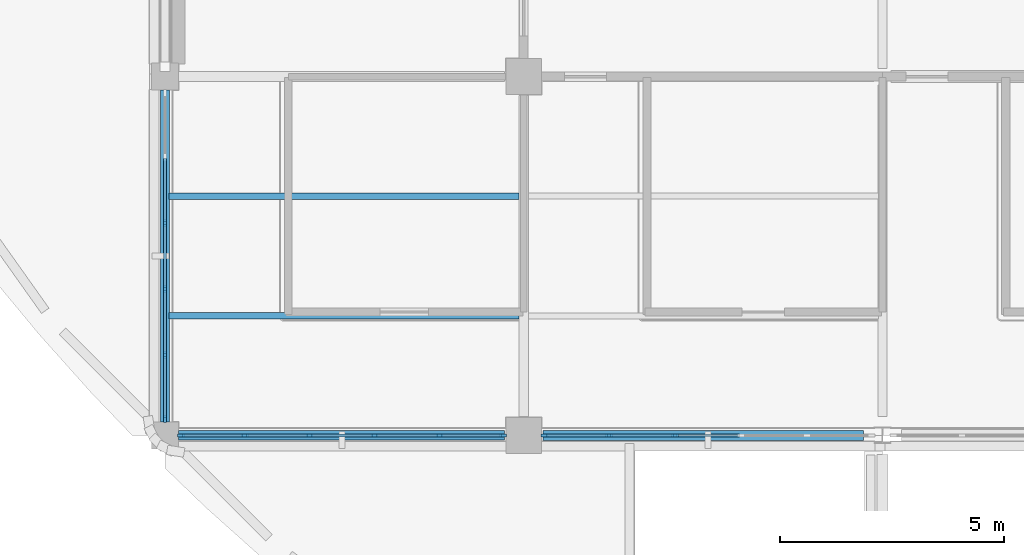
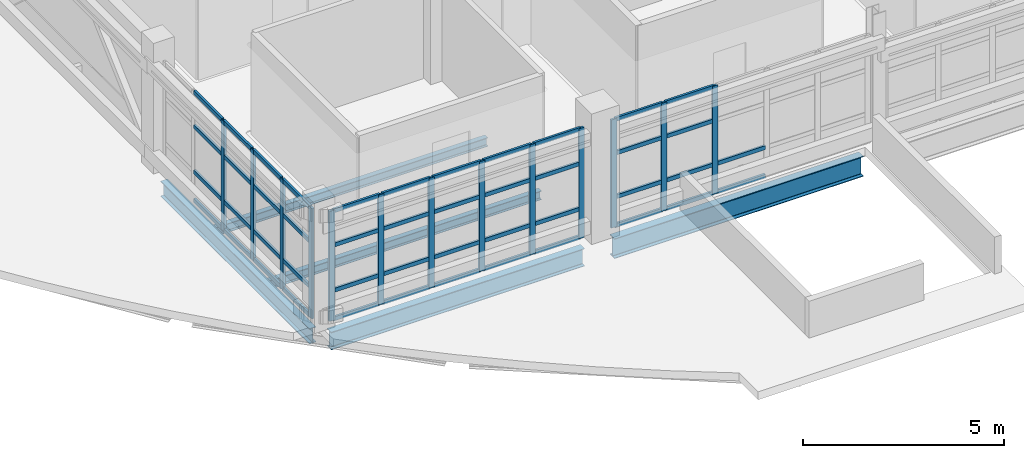
# One storey, part 23 of 126: 59 members, 5 beams, 3 elements without a shape of their own.
"""IFC4 building model written with IfcOpenShell, lengths in metres."""

import ifcopenshell
import ifcopenshell.guid

model = None  # the IFC model being written
_history = None  # IfcOwnerHistory: only IFC2X3 demands one
_inside = {}  # id of a spatial element -> (the spatial element, [elements in it])
_under = {}  # id of a project, library or spatial element -> (it, [spatial elements below it])
_declared = {}  # id of a project -> (the project, [libraries it declares])
_typed = {}  # id of a type object -> (the type object, [elements of that type])
_made_of = {}  # id of a material, layer set ... -> (it, [elements and type objects made of it])


def new_model(schema):
    """Start an empty IFC model of exactly this schema.

    Asked for "IFC4X3", IfcOpenShell would pick the latest addendum, in which some entities
    have other attributes; the version numbers below select the first issue.
    IFC2X3 requires an IfcOwnerHistory on every rooted entity: one is made here for all.
    """
    global model, _history
    if schema == "IFC4X3":
        model = ifcopenshell.file(schema_version=(4, 3, 0, 0))
    else:
        model = ifcopenshell.file(schema=schema)
    _inside.clear()
    _under.clear()
    _declared.clear()
    _typed.clear()
    _made_of.clear()
    _history = None
    if model.schema == "IFC2X3":
        org = make("IfcOrganization", Name="unknown")
        user = make(
            "IfcPersonAndOrganization",
            ThePerson=make("IfcPerson", FamilyName="unknown"),
            TheOrganization=org,
        )
        app = make(
            "IfcApplication",
            ApplicationDeveloper=org,
            Version="unknown",
            ApplicationFullName="unknown",
            ApplicationIdentifier="unknown",
        )
        _history = make(
            "IfcOwnerHistory",
            OwningUser=user,
            OwningApplication=app,
            ChangeAction="ADDED",
            CreationDate=0,
        )
    return model


def make(cls, **values):
    """One entity of the class cls with the attributes given. An attribute that is None is left unset."""
    return model.create_entity(
        cls, **{name: value for name, value in values.items() if value is not None}
    )


def rooted(cls, **values):
    """An entity with a GlobalId (a new one), such as an element, a storey or a relation."""
    return make(cls, GlobalId=ifcopenshell.guid.new(), OwnerHistory=_history, **values)


def si_unit(unit_type, name, prefix=None):
    """IfcSIUnit, for example si_unit("LENGTHUNIT", "METRE", prefix="MILLI")."""
    return make("IfcSIUnit", UnitType=unit_type, Prefix=prefix, Name=name)


def derived_unit(unit_type, elements):
    """IfcDerivedUnit: a product of units, each with its exponent."""
    return make(
        "IfcDerivedUnit",
        Elements=[
            make("IfcDerivedUnitElement", Unit=unit, Exponent=power)
            for unit, power in elements
        ],
        UnitType=unit_type,
    )


def assignment(units):
    """IfcUnitAssignment: the units of a project."""
    return None if units is None else make("IfcUnitAssignment", Units=units)


def point(xyz):
    """IfcCartesianPoint."""
    return None if xyz is None else make("IfcCartesianPoint", Coordinates=xyz)


def direction(xyz):
    """IfcDirection."""
    return None if xyz is None else make("IfcDirection", DirectionRatios=xyz)


def frame(location, z_axis=None, x_axis=None):
    """IfcAxis2Placement3D, a coordinate frame: its origin and axes. An axis left out is left unset."""
    return make(
        "IfcAxis2Placement3D",
        Location=point(location),
        Axis=direction(z_axis),
        RefDirection=direction(x_axis),
    )


def frame_2d(location, x_axis=None):
    """IfcAxis2Placement2D, a coordinate frame in the plane: its origin and x axis."""
    return make(
        "IfcAxis2Placement2D", Location=point(location), RefDirection=direction(x_axis)
    )


def origin():
    """The frame at (0, 0, 0) with its axes left unset."""
    return frame((0.0, 0.0, 0.0))


def origin_2d():
    """The frame at (0, 0) in the plane with its x axis left unset."""
    return frame_2d((0.0, 0.0))


def place(relative_to, where):
    """IfcLocalPlacement: puts the frame where relative to a parent placement (None: the world)."""
    return make(
        "IfcLocalPlacement", PlacementRelTo=relative_to, RelativePlacement=where
    )


def context(
    kind, dimensions, precision=None, world=None, true_north=None, identifier=None
):
    """IfcGeometricRepresentationContext, for example the 3D "Model" context."""
    return make(
        "IfcGeometricRepresentationContext",
        ContextIdentifier=identifier,
        ContextType=kind,
        CoordinateSpaceDimension=dimensions,
        Precision=precision,
        WorldCoordinateSystem=world,
        TrueNorth=true_north,
    )


def subcontext(parent, identifier, kind, view, scale=None):
    """IfcGeometricRepresentationSubContext, for example "Body" below "Model"."""
    return make(
        "IfcGeometricRepresentationSubContext",
        ContextIdentifier=identifier,
        ContextType=kind,
        ParentContext=parent,
        TargetScale=scale,
        TargetView=view,
    )


def project(units=None, contexts=None):
    """IfcProject with its units and contexts."""
    return rooted(
        "IfcProject",
        Name="project",
        RepresentationContexts=contexts,
        UnitsInContext=assignment(units),
    )


def spatial(cls, under=None, at=None, **own):
    """A site, building, storey or space (cls), placed at a placement, below another one or the project."""
    s = rooted(cls, ObjectPlacement=at, **own)
    if under is not None:
        _under.setdefault(under.id(), (under, []))[1].append(s)
    return s


def profile(cls, at=None, kind="AREA", **sizes):
    """A parametric profile (cls). Its sizes go by their IFC names, for example OverallWidth=200.0."""
    return make(cls, ProfileType=kind, Position=at, **sizes)


def rectangle(**sizes):
    """IfcRectangleProfileDef."""
    return profile("IfcRectangleProfileDef", **sizes)


def i_section(**sizes):
    """IfcIShapeProfileDef."""
    return profile("IfcIShapeProfileDef", **sizes)


def extrude(swept, where, along, depth):
    """IfcExtrudedAreaSolid: the profile swept, set in the frame where, extruded along a direction by depth."""
    return make(
        "IfcExtrudedAreaSolid",
        SweptArea=swept,
        Position=where,
        ExtrudedDirection=direction(along),
        Depth=depth,
    )


def shape(context_of_items, identifier, shape_type, items):
    """IfcShapeRepresentation: the items that make up one representation, for example the "Body"."""
    return make(
        "IfcShapeRepresentation",
        ContextOfItems=context_of_items,
        RepresentationIdentifier=identifier,
        RepresentationType=shape_type,
        Items=items,
    )


def material(Name=None, Category=None):
    """IfcMaterial."""
    return make("IfcMaterial", Name=Name, Category=Category)


def layer(
    of_material, thickness, ventilated=None, Name=None, Category=None, Priority=None
):
    """IfcMaterialLayer: one layer of a wall or slab, of a material (None: an air gap)."""
    return make(
        "IfcMaterialLayer",
        Material=of_material,
        LayerThickness=thickness,
        IsVentilated=ventilated,
        Name=Name,
        Category=Category,
        Priority=Priority,
    )


def layer_set(layers, Name=None):
    """IfcMaterialLayerSet."""
    return make("IfcMaterialLayerSet", MaterialLayers=layers, LayerSetName=Name)


def material_profile(
    of_material, cross_section, Name=None, Category=None, Priority=None
):
    """IfcMaterialProfile: a cross section and its material."""
    return make(
        "IfcMaterialProfile",
        Name=Name,
        Material=of_material,
        Profile=cross_section,
        Priority=Priority,
        Category=Category,
    )


def profile_set(profiles, Name=None, composite=None):
    """IfcMaterialProfileSet."""
    return make(
        "IfcMaterialProfileSet",
        Name=Name,
        MaterialProfiles=profiles,
        CompositeProfile=composite,
    )


def made_of(thing, what):
    """Note that an element or type object is made of a material, layer set ...; save() writes the relation."""
    if what is not None:
        _made_of.setdefault(what.id(), (what, []))[1].append(thing)
    return thing


def type_object(cls, material=None, **own):
    """A type object (cls), such as IfcWallType, which elements share."""
    return made_of(rooted(cls, **own), material)


def element(
    cls,
    number,
    at=None,
    inside=None,
    cuts=None,
    type_object=None,
    material=None,
    context=None,
    identifier="Body",
    shape_type=None,
    held_by="IfcProductDefinitionShape",
    body=None,
    shapes=None,
    **own,
):
    """One element of the class cls, such as IfcWall. Its Tag is "e" and its number.

    at: its placement. inside: the storey or other place that contains it. cuts: it is an
    opening in that element (IfcRelVoidsElement). A single representation is given by context,
    identifier, shape_type and body (its items); several are given by shapes. held_by: the class
    of the entity that holds the representations. save() writes the other relations.
    """
    e = rooted(cls, Tag="e%d" % number, ObjectPlacement=at, **own)
    if body is not None:
        shapes = [shape(context, identifier, shape_type, body)]
    if shapes is not None:
        e.Representation = make(held_by, Representations=shapes)
    if inside is not None:
        _inside.setdefault(inside.id(), (inside, []))[1].append(e)
    if cuts is not None:
        rooted(
            "IfcRelVoidsElement", RelatingBuildingElement=cuts, RelatedOpeningElement=e
        )
    if type_object is not None:
        _typed.setdefault(type_object.id(), (type_object, []))[1].append(e)
    return made_of(e, material)


def aggregate(whole, parts):
    """IfcRelAggregates: a whole, such as a stair, and the parts it consists of."""
    return rooted("IfcRelAggregates", RelatingObject=whole, RelatedObjects=parts)


def save(model, path):
    """Write the relations noted so far, then the file.

    IfcRelAggregates (storeys below a building ...), IfcRelContainedInSpatialStructure (elements
    in a storey), IfcRelDefinesByType, IfcRelAssociatesMaterial and IfcRelDeclares: one each for
    every whole, place, type object, material and project.
    """
    for whole, parts in _under.values():
        aggregate(whole, parts)
    for where, things in _inside.values():
        rooted(
            "IfcRelContainedInSpatialStructure",
            RelatedElements=things,
            RelatingStructure=where,
        )
    for kind, things in _typed.values():
        rooted("IfcRelDefinesByType", RelatedObjects=things, RelatingType=kind)
    for what, things in _made_of.values():
        rooted("IfcRelAssociatesMaterial", RelatedObjects=things, RelatingMaterial=what)
    for by, libraries in _declared.values():
        rooted("IfcRelDeclares", RelatingContext=by, RelatedDefinitions=libraries)
    model.write(path)


model = new_model("IFC4")

# Units and contexts
model_context = context("Model", 3, precision=1e-05, world=origin(), true_north=direction((0.0, 1.0)))
body_context = subcontext(model_context, "Body", "Model", "MODEL_VIEW")
ifc_project = project(units=[si_unit("LENGTHUNIT", "METRE"), si_unit("AREAUNIT", "SQUARE_METRE"), si_unit("VOLUMEUNIT", "CUBIC_METRE"), si_unit("PLANEANGLEUNIT", "RADIAN"), si_unit("MASSUNIT", "GRAM", prefix="KILO"), derived_unit("THERMALTRANSMITTANCEUNIT", [(si_unit("MASSUNIT", "GRAM", prefix="KILO"), 1), (si_unit("TIMEUNIT", "SECOND"), -3), (si_unit("THERMODYNAMICTEMPERATUREUNIT", "KELVIN"), -1)])], contexts=[model_context])

# Site, building, storey
site_placement = place(None, origin())
site = spatial("IfcSite", under=ifc_project, at=site_placement, CompositionType="ELEMENT")
building_placement = place(site_placement, origin())
building = spatial("IfcBuilding", under=site, at=building_placement, Name="Veyamyaing Civic Hall", CompositionType="ELEMENT")
storey_placement = place(building_placement, frame((0.0, 0.0, 9.89990234375)))
storey = spatial("IfcBuildingStorey", under=building, at=storey_placement, Name="L02", CompositionType="ELEMENT", Elevation=9.89990234375)

# Beams
ifc_material_1 = material(Name="Steel ASTM A992", Category="steel")
ifc_material_profile_1 = material_profile(ifc_material_1, i_section(OverallWidth=0.22802734375, OverallDepth=0.60791015625, WebThickness=0.01123046875, FlangeThickness=0.017333984375, FilletRadius=0.012939453125, at=origin_2d()), Name="W610X113")
ifc_profile_set_1 = profile_set([ifc_material_profile_1], Name="Steel ASTM A992")
beam_type_1 = type_object("IfcBeamType", Name="B-06", PredefinedType="BEAM", material=ifc_profile_set_1)
beam_1_placement = place(storey_placement, frame((72.425048828125, 24.0, -0.5888671875), z_axis=(1.0, 0.0, 0.0), x_axis=(0.0, 1.0, 0.0)))
element("IfcBeam", 1, at=beam_1_placement, inside=storey, type_object=beam_type_1, Name="Girder B-06 L02 Grid D 10-11", PredefinedType="BEAM", context=body_context, shape_type="SweptSolid", body=[
    extrude(i_section(OverallWidth=0.22802734375, OverallDepth=0.60791015625, WebThickness=0.01123046875, FlangeThickness=0.017333984375, FilletRadius=0.012939453125, at=origin_2d()), origin(), (0.0, 0.0, 1.0), 7.14990234375),
])
ifc_material_profile_2 = material_profile(ifc_material_1, i_section(OverallWidth=0.2109375, OverallDepth=0.5390625, WebThickness=0.01171875, FlangeThickness=0.018798828125, FilletRadius=0.011962890625, at=origin_2d()), Name="W530X109")
ifc_profile_set_2 = profile_set([ifc_material_profile_2], Name="Steel ASTM A992")
beam_type_2 = type_object("IfcBeamType", Name="B-17", PredefinedType="BEAM", material=ifc_profile_set_2)
beam_2_placement = place(storey_placement, frame((64.300048828125, 24.0, -0.554443359375), z_axis=(1.0, 0.0, 0.0), x_axis=(0.0, 1.0, 0.0)))
element("IfcBeam", 2, at=beam_2_placement, inside=storey, type_object=beam_type_2, Name="Girder B-17 L02 Grid D 9-10", PredefinedType="BEAM", context=body_context, shape_type="SweptSolid", body=[
    extrude(i_section(OverallWidth=0.2109375, OverallDepth=0.5390625, WebThickness=0.01171875, FlangeThickness=0.018798828125, FilletRadius=0.011962890625, at=origin_2d()), origin(), (0.0, 0.0, 1.0), 7.27490234375),
])
ifc_material_profile_3 = material_profile(ifc_material_1, i_section(OverallWidth=0.194091796875, OverallDepth=0.468994140625, WebThickness=0.0126953125, FlangeThickness=0.0205078125, FilletRadius=0.010009765625, at=origin_2d()), Name="W460X106")
ifc_profile_set_3 = profile_set([ifc_material_profile_3], Name="Steel ASTM A992")
beam_type_3 = type_object("IfcBeamType", Name="B-18", PredefinedType="BEAM", material=ifc_profile_set_3)
beam_3_placement = place(storey_placement, frame((64.0, 24.300048828125, -0.519287109375), z_axis=(0.0, 1.0, 0.0), x_axis=(-1.0, 0.0, 0.0)))
element("IfcBeam", 3, at=beam_3_placement, inside=storey, type_object=beam_type_3, Name="Girder B-18 L02 Grid 9 D-E", PredefinedType="BEAM", context=body_context, shape_type="SweptSolid", body=[
    extrude(i_section(OverallWidth=0.194091796875, OverallDepth=0.468994140625, WebThickness=0.0126953125, FlangeThickness=0.0205078125, FilletRadius=0.010009765625, at=origin_2d()), origin(), (0.0, 0.0, 1.0), 7.39990234375),
])

# Curtain wall, members
ifc_material_2 = material(Name="Anodised aluminium 6063-T6", Category="aluminium")
ifc_layer = layer(ifc_material_2, 0.159912109375, Name="Anodised aluminium 6063-T6")
ifc_layer_set = layer_set([ifc_layer], Name="Anodised aluminium 6063-T6")
curtain_wall_type = type_object("IfcCurtainWallType", Name="CW-03", PredefinedType="NOTDEFINED", material=ifc_layer_set)
curtain_wall_1_placement = place(storey_placement, origin())
curtain_wall_1 = element("IfcCurtainWall", 4, at=curtain_wall_1_placement, inside=storey, type_object=curtain_wall_type, Name="Unitized curtain wall CW-03 L02 S 9.4", PredefinedType="NOTDEFINED")
ifc_material_profile_4 = material_profile(ifc_material_2, rectangle(XDim=0.06494140625, YDim=0.159912109375, at=origin_2d()), Name="ALU-MUL-65X160")
ifc_profile_set_4 = profile_set([ifc_material_profile_4], Name="Anodised aluminium 6063-T6")
member_type_1 = type_object("IfcMemberType", Name="CWM-01", PredefinedType="MULLION", material=ifc_profile_set_4)
member_1_placement = place(storey_placement, frame((64.362548828125, 24.0, 0.0), z_axis=(0.0, 0.0, 1.0), x_axis=(0.0, 1.0, 0.0)))
member_1 = element("IfcMember", 5, at=member_1_placement, type_object=member_type_1, Name="CW-03 mullion 1", PredefinedType="MULLION", context=body_context, shape_type="SweptSolid", body=[
    extrude(rectangle(XDim=0.06494140625, YDim=0.159912109375, at=origin_2d()), origin(), (0.0, 0.0, 1.0), 3.343994140625),
])
member_2_placement = place(storey_placement, frame((65.778076171875, 24.0, 0.0), z_axis=(0.0, 0.0, 1.0), x_axis=(0.0, 1.0, 0.0)))
member_2 = element("IfcMember", 6, at=member_2_placement, type_object=member_type_1, Name="CW-03 mullion 2", PredefinedType="MULLION", context=body_context, shape_type="SweptSolid", body=[
    extrude(rectangle(XDim=0.06494140625, YDim=0.159912109375, at=origin_2d()), origin(), (0.0, 0.0, 1.0), 3.343994140625),
])
member_3_placement = place(storey_placement, frame((67.22607421875, 24.0, 0.0), z_axis=(0.0, 0.0, 1.0), x_axis=(0.0, 1.0, 0.0)))
member_3 = element("IfcMember", 7, at=member_3_placement, type_object=member_type_1, Name="CW-03 mullion 3", PredefinedType="MULLION", context=body_context, shape_type="SweptSolid", body=[
    extrude(rectangle(XDim=0.06494140625, YDim=0.159912109375, at=origin_2d()), origin(), (0.0, 0.0, 1.0), 3.343994140625),
])
member_4_placement = place(storey_placement, frame((68.674072265625, 24.0, 0.0), z_axis=(0.0, 0.0, 1.0), x_axis=(0.0, 1.0, 0.0)))
member_4 = element("IfcMember", 8, at=member_4_placement, type_object=member_type_1, Name="CW-03 mullion 4", PredefinedType="MULLION", context=body_context, shape_type="SweptSolid", body=[
    extrude(rectangle(XDim=0.06494140625, YDim=0.159912109375, at=origin_2d()), origin(), (0.0, 0.0, 1.0), 3.343994140625),
])
member_5_placement = place(storey_placement, frame((70.1220703125, 24.0, 0.0), z_axis=(0.0, 0.0, 1.0), x_axis=(0.0, 1.0, 0.0)))
member_5 = element("IfcMember", 9, at=member_5_placement, type_object=member_type_1, Name="CW-03 mullion 5", PredefinedType="MULLION", context=body_context, shape_type="SweptSolid", body=[
    extrude(rectangle(XDim=0.06494140625, YDim=0.159912109375, at=origin_2d()), origin(), (0.0, 0.0, 1.0), 3.343994140625),
])
member_6_placement = place(storey_placement, frame((71.53759765625, 24.0, 0.0), z_axis=(0.0, 0.0, 1.0), x_axis=(0.0, 1.0, 0.0)))
member_6 = element("IfcMember", 10, at=member_6_placement, type_object=member_type_1, Name="CW-03 mullion 6", PredefinedType="MULLION", context=body_context, shape_type="SweptSolid", body=[
    extrude(rectangle(XDim=0.06494140625, YDim=0.159912109375, at=origin_2d()), origin(), (0.0, 0.0, 1.0), 3.343994140625),
])

curtain_wall_2_placement = place(storey_placement, origin())
curtain_wall_2 = element("IfcCurtainWall", 11, at=curtain_wall_2_placement, inside=storey, type_object=curtain_wall_type, Name="Unitized curtain wall CW-03 L02 W 9.4", PredefinedType="NOTDEFINED")
member_7_placement = place(storey_placement, frame((64.0, 24.362548828125, 0.0), z_axis=(0.0, 0.0, 1.0), x_axis=(-1.0, 0.0, 0.0)))
member_7 = element("IfcMember", 12, at=member_7_placement, type_object=member_type_1, Name="CW-03 mullion 1", PredefinedType="MULLION", context=body_context, shape_type="SweptSolid", body=[
    extrude(rectangle(XDim=0.06494140625, YDim=0.159912109375, at=origin_2d()), origin(), (0.0, 0.0, 1.0), 3.343994140625),
])
member_8_placement = place(storey_placement, frame((64.0, 25.798095703125, 0.0), z_axis=(0.0, 0.0, 1.0), x_axis=(-1.0, 0.0, 0.0)))
member_8 = element("IfcMember", 13, at=member_8_placement, type_object=member_type_1, Name="CW-03 mullion 2", PredefinedType="MULLION", context=body_context, shape_type="SweptSolid", body=[
    extrude(rectangle(XDim=0.06494140625, YDim=0.159912109375, at=origin_2d()), origin(), (0.0, 0.0, 1.0), 3.343994140625),
])
member_9_placement = place(storey_placement, frame((64.0, 27.26611328125, 0.0), z_axis=(0.0, 0.0, 1.0), x_axis=(-1.0, 0.0, 0.0)))
member_9 = element("IfcMember", 14, at=member_9_placement, type_object=member_type_1, Name="CW-03 mullion 3", PredefinedType="MULLION", context=body_context, shape_type="SweptSolid", body=[
    extrude(rectangle(XDim=0.06494140625, YDim=0.159912109375, at=origin_2d()), origin(), (0.0, 0.0, 1.0), 3.343994140625),
])
member_10_placement = place(storey_placement, frame((64.0, 28.73388671875, 0.0), z_axis=(0.0, 0.0, 1.0), x_axis=(-1.0, 0.0, 0.0)))
member_10 = element("IfcMember", 15, at=member_10_placement, type_object=member_type_1, Name="CW-03 mullion 4", PredefinedType="MULLION", context=body_context, shape_type="SweptSolid", body=[
    extrude(rectangle(XDim=0.06494140625, YDim=0.159912109375, at=origin_2d()), origin(), (0.0, 0.0, 1.0), 3.343994140625),
])

curtain_wall_3_placement = place(storey_placement, origin())
curtain_wall_3 = element("IfcCurtainWall", 16, at=curtain_wall_3_placement, inside=storey, type_object=curtain_wall_type, Name="Unitized curtain wall CW-03 L02 S 10.4", PredefinedType="NOTDEFINED")
member_11_placement = place(storey_placement, frame((72.46240234375, 24.0, 0.0), z_axis=(0.0, 0.0, 1.0), x_axis=(0.0, 1.0, 0.0)))
member_11 = element("IfcMember", 17, at=member_11_placement, type_object=member_type_1, Name="CW-03 mullion 1", PredefinedType="MULLION", context=body_context, shape_type="SweptSolid", body=[
    extrude(rectangle(XDim=0.06494140625, YDim=0.159912109375, at=origin_2d()), origin(), (0.0, 0.0, 1.0), 3.2841796875),
])
member_12_placement = place(storey_placement, frame((73.90087890625, 24.0, 0.0), z_axis=(0.0, 0.0, 1.0), x_axis=(0.0, 1.0, 0.0)))
member_12 = element("IfcMember", 18, at=member_12_placement, type_object=member_type_1, Name="CW-03 mullion 2", PredefinedType="MULLION", context=body_context, shape_type="SweptSolid", body=[
    extrude(rectangle(XDim=0.06494140625, YDim=0.159912109375, at=origin_2d()), origin(), (0.0, 0.0, 1.0), 3.2841796875),
])
member_13_placement = place(storey_placement, frame((75.371826171875, 24.0, 0.0), z_axis=(0.0, 0.0, 1.0), x_axis=(0.0, 1.0, 0.0)))
member_13 = element("IfcMember", 19, at=member_13_placement, type_object=member_type_1, Name="CW-03 mullion 3", PredefinedType="MULLION", context=body_context, shape_type="SweptSolid", body=[
    extrude(rectangle(XDim=0.06494140625, YDim=0.159912109375, at=origin_2d()), origin(), (0.0, 0.0, 1.0), 3.2841796875),
])

# Member
ifc_material_profile_5 = material_profile(ifc_material_2, rectangle(XDim=0.06494140625, YDim=0.1201171875, at=origin_2d()), Name="ALU-TRN-65X120")
ifc_profile_set_5 = profile_set([ifc_material_profile_5], Name="Anodised aluminium 6063-T6")
member_type_2 = type_object("IfcMemberType", Name="CWT-01", PredefinedType="USERDEFINED", material=ifc_profile_set_5)
member_14_placement = place(storey_placement, frame((64.39501953125, 24.0, 0.03271484375), z_axis=(1.0, 0.0, 0.0), x_axis=(0.0, 1.0, 0.0)))
member_14 = element("IfcMember", 20, at=member_14_placement, type_object=member_type_2, Name="CW-03 transom 1.1", ObjectType="TRANSOM", PredefinedType="USERDEFINED", context=body_context, shape_type="SweptSolid", body=[
    extrude(rectangle(XDim=0.06494140625, YDim=0.1201171875, at=origin_2d()), origin(), (0.0, 0.0, 1.0), 1.3505859375),
])

member_15_placement = place(storey_placement, frame((64.39501953125, 24.0, 0.900146484375), z_axis=(1.0, 0.0, 0.0), x_axis=(0.0, 1.0, 0.0)))
member_15 = element("IfcMember", 21, at=member_15_placement, type_object=member_type_2, Name="CW-03 transom 1.2", ObjectType="TRANSOM", PredefinedType="USERDEFINED", context=body_context, shape_type="SweptSolid", body=[
    extrude(rectangle(XDim=0.06494140625, YDim=0.1201171875, at=origin_2d()), origin(), (0.0, 0.0, 1.0), 1.3505859375),
])

member_16_placement = place(storey_placement, frame((64.39501953125, 24.0, 2.27392578125), z_axis=(1.0, 0.0, 0.0), x_axis=(0.0, 1.0, 0.0)))
member_16 = element("IfcMember", 22, at=member_16_placement, type_object=member_type_2, Name="CW-03 transom 1.3", ObjectType="TRANSOM", PredefinedType="USERDEFINED", context=body_context, shape_type="SweptSolid", body=[
    extrude(rectangle(XDim=0.06494140625, YDim=0.1201171875, at=origin_2d()), origin(), (0.0, 0.0, 1.0), 1.3505859375),
])

member_17_placement = place(storey_placement, frame((64.39501953125, 24.0, 3.3115234375), z_axis=(1.0, 0.0, 0.0), x_axis=(0.0, 1.0, 0.0)))
member_17 = element("IfcMember", 23, at=member_17_placement, type_object=member_type_2, Name="CW-03 transom 1.4", ObjectType="TRANSOM", PredefinedType="USERDEFINED", context=body_context, shape_type="SweptSolid", body=[
    extrude(rectangle(XDim=0.06494140625, YDim=0.1201171875, at=origin_2d()), origin(), (0.0, 0.0, 1.0), 1.3505859375),
])

member_18_placement = place(storey_placement, frame((65.810546875, 24.0, 0.03271484375), z_axis=(1.0, 0.0, 0.0), x_axis=(0.0, 1.0, 0.0)))
member_18 = element("IfcMember", 24, at=member_18_placement, type_object=member_type_2, Name="CW-03 transom 2.1", ObjectType="TRANSOM", PredefinedType="USERDEFINED", context=body_context, shape_type="SweptSolid", body=[
    extrude(rectangle(XDim=0.06494140625, YDim=0.1201171875, at=origin_2d()), origin(), (0.0, 0.0, 1.0), 1.383056640625),
])

member_19_placement = place(storey_placement, frame((65.810546875, 24.0, 0.900146484375), z_axis=(1.0, 0.0, 0.0), x_axis=(0.0, 1.0, 0.0)))
member_19 = element("IfcMember", 25, at=member_19_placement, type_object=member_type_2, Name="CW-03 transom 2.2", ObjectType="TRANSOM", PredefinedType="USERDEFINED", context=body_context, shape_type="SweptSolid", body=[
    extrude(rectangle(XDim=0.06494140625, YDim=0.1201171875, at=origin_2d()), origin(), (0.0, 0.0, 1.0), 1.383056640625),
])

member_20_placement = place(storey_placement, frame((65.810546875, 24.0, 2.27392578125), z_axis=(1.0, 0.0, 0.0), x_axis=(0.0, 1.0, 0.0)))
member_20 = element("IfcMember", 26, at=member_20_placement, type_object=member_type_2, Name="CW-03 transom 2.3", ObjectType="TRANSOM", PredefinedType="USERDEFINED", context=body_context, shape_type="SweptSolid", body=[
    extrude(rectangle(XDim=0.06494140625, YDim=0.1201171875, at=origin_2d()), origin(), (0.0, 0.0, 1.0), 1.383056640625),
])

member_21_placement = place(storey_placement, frame((65.810546875, 24.0, 3.3115234375), z_axis=(1.0, 0.0, 0.0), x_axis=(0.0, 1.0, 0.0)))
member_21 = element("IfcMember", 27, at=member_21_placement, type_object=member_type_2, Name="CW-03 transom 2.4", ObjectType="TRANSOM", PredefinedType="USERDEFINED", context=body_context, shape_type="SweptSolid", body=[
    extrude(rectangle(XDim=0.06494140625, YDim=0.1201171875, at=origin_2d()), origin(), (0.0, 0.0, 1.0), 1.383056640625),
])

member_22_placement = place(storey_placement, frame((67.258544921875, 24.0, 0.03271484375), z_axis=(1.0, 0.0, 0.0), x_axis=(0.0, 1.0, 0.0)))
member_22 = element("IfcMember", 28, at=member_22_placement, type_object=member_type_2, Name="CW-03 transom 3.1", ObjectType="TRANSOM", PredefinedType="USERDEFINED", context=body_context, shape_type="SweptSolid", body=[
    extrude(rectangle(XDim=0.06494140625, YDim=0.1201171875, at=origin_2d()), origin(), (0.0, 0.0, 1.0), 1.383056640625),
])

member_23_placement = place(storey_placement, frame((67.258544921875, 24.0, 0.900146484375), z_axis=(1.0, 0.0, 0.0), x_axis=(0.0, 1.0, 0.0)))
member_23 = element("IfcMember", 29, at=member_23_placement, type_object=member_type_2, Name="CW-03 transom 3.2", ObjectType="TRANSOM", PredefinedType="USERDEFINED", context=body_context, shape_type="SweptSolid", body=[
    extrude(rectangle(XDim=0.06494140625, YDim=0.1201171875, at=origin_2d()), origin(), (0.0, 0.0, 1.0), 1.383056640625),
])

member_24_placement = place(storey_placement, frame((67.258544921875, 24.0, 2.27392578125), z_axis=(1.0, 0.0, 0.0), x_axis=(0.0, 1.0, 0.0)))
member_24 = element("IfcMember", 30, at=member_24_placement, type_object=member_type_2, Name="CW-03 transom 3.3", ObjectType="TRANSOM", PredefinedType="USERDEFINED", context=body_context, shape_type="SweptSolid", body=[
    extrude(rectangle(XDim=0.06494140625, YDim=0.1201171875, at=origin_2d()), origin(), (0.0, 0.0, 1.0), 1.383056640625),
])

member_25_placement = place(storey_placement, frame((67.258544921875, 24.0, 3.3115234375), z_axis=(1.0, 0.0, 0.0), x_axis=(0.0, 1.0, 0.0)))
member_25 = element("IfcMember", 31, at=member_25_placement, type_object=member_type_2, Name="CW-03 transom 3.4", ObjectType="TRANSOM", PredefinedType="USERDEFINED", context=body_context, shape_type="SweptSolid", body=[
    extrude(rectangle(XDim=0.06494140625, YDim=0.1201171875, at=origin_2d()), origin(), (0.0, 0.0, 1.0), 1.383056640625),
])

member_26_placement = place(storey_placement, frame((68.70654296875, 24.0, 0.03271484375), z_axis=(1.0, 0.0, 0.0), x_axis=(0.0, 1.0, 0.0)))
member_26 = element("IfcMember", 32, at=member_26_placement, type_object=member_type_2, Name="CW-03 transom 4.1", ObjectType="TRANSOM", PredefinedType="USERDEFINED", context=body_context, shape_type="SweptSolid", body=[
    extrude(rectangle(XDim=0.06494140625, YDim=0.1201171875, at=origin_2d()), origin(), (0.0, 0.0, 1.0), 1.383056640625),
])

member_27_placement = place(storey_placement, frame((68.70654296875, 24.0, 0.900146484375), z_axis=(1.0, 0.0, 0.0), x_axis=(0.0, 1.0, 0.0)))
member_27 = element("IfcMember", 33, at=member_27_placement, type_object=member_type_2, Name="CW-03 transom 4.2", ObjectType="TRANSOM", PredefinedType="USERDEFINED", context=body_context, shape_type="SweptSolid", body=[
    extrude(rectangle(XDim=0.06494140625, YDim=0.1201171875, at=origin_2d()), origin(), (0.0, 0.0, 1.0), 1.383056640625),
])

member_28_placement = place(storey_placement, frame((68.70654296875, 24.0, 2.27392578125), z_axis=(1.0, 0.0, 0.0), x_axis=(0.0, 1.0, 0.0)))
member_28 = element("IfcMember", 34, at=member_28_placement, type_object=member_type_2, Name="CW-03 transom 4.3", ObjectType="TRANSOM", PredefinedType="USERDEFINED", context=body_context, shape_type="SweptSolid", body=[
    extrude(rectangle(XDim=0.06494140625, YDim=0.1201171875, at=origin_2d()), origin(), (0.0, 0.0, 1.0), 1.383056640625),
])

member_29_placement = place(storey_placement, frame((68.70654296875, 24.0, 3.3115234375), z_axis=(1.0, 0.0, 0.0), x_axis=(0.0, 1.0, 0.0)))
member_29 = element("IfcMember", 35, at=member_29_placement, type_object=member_type_2, Name="CW-03 transom 4.4", ObjectType="TRANSOM", PredefinedType="USERDEFINED", context=body_context, shape_type="SweptSolid", body=[
    extrude(rectangle(XDim=0.06494140625, YDim=0.1201171875, at=origin_2d()), origin(), (0.0, 0.0, 1.0), 1.383056640625),
])

member_30_placement = place(storey_placement, frame((70.154541015625, 24.0, 0.03271484375), z_axis=(1.0, 0.0, 0.0), x_axis=(0.0, 1.0, 0.0)))
member_30 = element("IfcMember", 36, at=member_30_placement, type_object=member_type_2, Name="CW-03 transom 5.1", ObjectType="TRANSOM", PredefinedType="USERDEFINED", context=body_context, shape_type="SweptSolid", body=[
    extrude(rectangle(XDim=0.06494140625, YDim=0.1201171875, at=origin_2d()), origin(), (0.0, 0.0, 1.0), 1.350341796875),
])

member_31_placement = place(storey_placement, frame((70.154541015625, 24.0, 0.900146484375), z_axis=(1.0, 0.0, 0.0), x_axis=(0.0, 1.0, 0.0)))
member_31 = element("IfcMember", 37, at=member_31_placement, type_object=member_type_2, Name="CW-03 transom 5.2", ObjectType="TRANSOM", PredefinedType="USERDEFINED", context=body_context, shape_type="SweptSolid", body=[
    extrude(rectangle(XDim=0.06494140625, YDim=0.1201171875, at=origin_2d()), origin(), (0.0, 0.0, 1.0), 1.350341796875),
])

member_32_placement = place(storey_placement, frame((70.154541015625, 24.0, 2.27392578125), z_axis=(1.0, 0.0, 0.0), x_axis=(0.0, 1.0, 0.0)))
member_32 = element("IfcMember", 38, at=member_32_placement, type_object=member_type_2, Name="CW-03 transom 5.3", ObjectType="TRANSOM", PredefinedType="USERDEFINED", context=body_context, shape_type="SweptSolid", body=[
    extrude(rectangle(XDim=0.06494140625, YDim=0.1201171875, at=origin_2d()), origin(), (0.0, 0.0, 1.0), 1.350341796875),
])

member_33_placement = place(storey_placement, frame((70.154541015625, 24.0, 3.3115234375), z_axis=(1.0, 0.0, 0.0), x_axis=(0.0, 1.0, 0.0)))
member_33 = element("IfcMember", 39, at=member_33_placement, type_object=member_type_2, Name="CW-03 transom 5.4", ObjectType="TRANSOM", PredefinedType="USERDEFINED", context=body_context, shape_type="SweptSolid", body=[
    extrude(rectangle(XDim=0.06494140625, YDim=0.1201171875, at=origin_2d()), origin(), (0.0, 0.0, 1.0), 1.350341796875),
])

aggregate(curtain_wall_1, [member_1, member_2, member_3, member_4, member_5, member_6, member_14, member_15, member_16, member_17, member_18, member_19, member_20, member_21, member_22, member_23, member_24, member_25, member_26, member_27, member_28, member_29, member_30, member_31, member_32, member_33])

member_34_placement = place(storey_placement, frame((64.0, 24.39501953125, 0.03271484375), z_axis=(0.0, 1.0, 0.0), x_axis=(-1.0, 0.0, 0.0)))
member_34 = element("IfcMember", 40, at=member_34_placement, type_object=member_type_2, Name="CW-03 transom 1.1", ObjectType="TRANSOM", PredefinedType="USERDEFINED", context=body_context, shape_type="SweptSolid", body=[
    extrude(rectangle(XDim=0.06494140625, YDim=0.1201171875, at=origin_2d()), origin(), (0.0, 0.0, 1.0), 1.370361328125),
])

member_35_placement = place(storey_placement, frame((64.0, 24.39501953125, 0.900146484375), z_axis=(0.0, 1.0, 0.0), x_axis=(-1.0, 0.0, 0.0)))
member_35 = element("IfcMember", 41, at=member_35_placement, type_object=member_type_2, Name="CW-03 transom 1.2", ObjectType="TRANSOM", PredefinedType="USERDEFINED", context=body_context, shape_type="SweptSolid", body=[
    extrude(rectangle(XDim=0.06494140625, YDim=0.1201171875, at=origin_2d()), origin(), (0.0, 0.0, 1.0), 1.370361328125),
])

member_36_placement = place(storey_placement, frame((64.0, 24.39501953125, 2.27392578125), z_axis=(0.0, 1.0, 0.0), x_axis=(-1.0, 0.0, 0.0)))
member_36 = element("IfcMember", 42, at=member_36_placement, type_object=member_type_2, Name="CW-03 transom 1.3", ObjectType="TRANSOM", PredefinedType="USERDEFINED", context=body_context, shape_type="SweptSolid", body=[
    extrude(rectangle(XDim=0.06494140625, YDim=0.1201171875, at=origin_2d()), origin(), (0.0, 0.0, 1.0), 1.370361328125),
])

member_37_placement = place(storey_placement, frame((64.0, 24.39501953125, 3.3115234375), z_axis=(0.0, 1.0, 0.0), x_axis=(-1.0, 0.0, 0.0)))
member_37 = element("IfcMember", 43, at=member_37_placement, type_object=member_type_2, Name="CW-03 transom 1.4", ObjectType="TRANSOM", PredefinedType="USERDEFINED", context=body_context, shape_type="SweptSolid", body=[
    extrude(rectangle(XDim=0.06494140625, YDim=0.1201171875, at=origin_2d()), origin(), (0.0, 0.0, 1.0), 1.370361328125),
])

member_38_placement = place(storey_placement, frame((64.0, 25.83056640625, 0.03271484375), z_axis=(0.0, 1.0, 0.0), x_axis=(-1.0, 0.0, 0.0)))
member_38 = element("IfcMember", 44, at=member_38_placement, type_object=member_type_2, Name="CW-03 transom 2.1", ObjectType="TRANSOM", PredefinedType="USERDEFINED", context=body_context, shape_type="SweptSolid", body=[
    extrude(rectangle(XDim=0.06494140625, YDim=0.1201171875, at=origin_2d()), origin(), (0.0, 0.0, 1.0), 1.40283203125),
])

member_39_placement = place(storey_placement, frame((64.0, 25.83056640625, 0.900146484375), z_axis=(0.0, 1.0, 0.0), x_axis=(-1.0, 0.0, 0.0)))
member_39 = element("IfcMember", 45, at=member_39_placement, type_object=member_type_2, Name="CW-03 transom 2.2", ObjectType="TRANSOM", PredefinedType="USERDEFINED", context=body_context, shape_type="SweptSolid", body=[
    extrude(rectangle(XDim=0.06494140625, YDim=0.1201171875, at=origin_2d()), origin(), (0.0, 0.0, 1.0), 1.40283203125),
])

member_40_placement = place(storey_placement, frame((64.0, 25.83056640625, 2.27392578125), z_axis=(0.0, 1.0, 0.0), x_axis=(-1.0, 0.0, 0.0)))
member_40 = element("IfcMember", 46, at=member_40_placement, type_object=member_type_2, Name="CW-03 transom 2.3", ObjectType="TRANSOM", PredefinedType="USERDEFINED", context=body_context, shape_type="SweptSolid", body=[
    extrude(rectangle(XDim=0.06494140625, YDim=0.1201171875, at=origin_2d()), origin(), (0.0, 0.0, 1.0), 1.40283203125),
])

member_41_placement = place(storey_placement, frame((64.0, 25.83056640625, 3.3115234375), z_axis=(0.0, 1.0, 0.0), x_axis=(-1.0, 0.0, 0.0)))
member_41 = element("IfcMember", 47, at=member_41_placement, type_object=member_type_2, Name="CW-03 transom 2.4", ObjectType="TRANSOM", PredefinedType="USERDEFINED", context=body_context, shape_type="SweptSolid", body=[
    extrude(rectangle(XDim=0.06494140625, YDim=0.1201171875, at=origin_2d()), origin(), (0.0, 0.0, 1.0), 1.40283203125),
])

member_42_placement = place(storey_placement, frame((64.0, 27.298583984375, 0.03271484375), z_axis=(0.0, 1.0, 0.0), x_axis=(-1.0, 0.0, 0.0)))
member_42 = element("IfcMember", 48, at=member_42_placement, type_object=member_type_2, Name="CW-03 transom 3.1", ObjectType="TRANSOM", PredefinedType="USERDEFINED", context=body_context, shape_type="SweptSolid", body=[
    extrude(rectangle(XDim=0.06494140625, YDim=0.1201171875, at=origin_2d()), origin(), (0.0, 0.0, 1.0), 1.40283203125),
])

member_43_placement = place(storey_placement, frame((64.0, 27.298583984375, 0.900146484375), z_axis=(0.0, 1.0, 0.0), x_axis=(-1.0, 0.0, 0.0)))
member_43 = element("IfcMember", 49, at=member_43_placement, type_object=member_type_2, Name="CW-03 transom 3.2", ObjectType="TRANSOM", PredefinedType="USERDEFINED", context=body_context, shape_type="SweptSolid", body=[
    extrude(rectangle(XDim=0.06494140625, YDim=0.1201171875, at=origin_2d()), origin(), (0.0, 0.0, 1.0), 1.40283203125),
])

member_44_placement = place(storey_placement, frame((64.0, 27.298583984375, 2.27392578125), z_axis=(0.0, 1.0, 0.0), x_axis=(-1.0, 0.0, 0.0)))
member_44 = element("IfcMember", 50, at=member_44_placement, type_object=member_type_2, Name="CW-03 transom 3.3", ObjectType="TRANSOM", PredefinedType="USERDEFINED", context=body_context, shape_type="SweptSolid", body=[
    extrude(rectangle(XDim=0.06494140625, YDim=0.1201171875, at=origin_2d()), origin(), (0.0, 0.0, 1.0), 1.40283203125),
])

member_45_placement = place(storey_placement, frame((64.0, 27.298583984375, 3.3115234375), z_axis=(0.0, 1.0, 0.0), x_axis=(-1.0, 0.0, 0.0)))
member_45 = element("IfcMember", 51, at=member_45_placement, type_object=member_type_2, Name="CW-03 transom 3.4", ObjectType="TRANSOM", PredefinedType="USERDEFINED", context=body_context, shape_type="SweptSolid", body=[
    extrude(rectangle(XDim=0.06494140625, YDim=0.1201171875, at=origin_2d()), origin(), (0.0, 0.0, 1.0), 1.40283203125),
])

member_46_placement = place(storey_placement, frame((64.0, 28.7666015625, 0.03271484375), z_axis=(0.0, 1.0, 0.0), x_axis=(-1.0, 0.0, 0.0)))
member_46 = element("IfcMember", 52, at=member_46_placement, type_object=member_type_2, Name="CW-03 transom 4.1", ObjectType="TRANSOM", PredefinedType="USERDEFINED", context=body_context, shape_type="SweptSolid", body=[
    extrude(rectangle(XDim=0.06494140625, YDim=0.1201171875, at=origin_2d()), origin(), (0.0, 0.0, 1.0), 1.40283203125),
])

member_47_placement = place(storey_placement, frame((64.0, 28.7666015625, 0.900146484375), z_axis=(0.0, 1.0, 0.0), x_axis=(-1.0, 0.0, 0.0)))
member_47 = element("IfcMember", 53, at=member_47_placement, type_object=member_type_2, Name="CW-03 transom 4.2", ObjectType="TRANSOM", PredefinedType="USERDEFINED", context=body_context, shape_type="SweptSolid", body=[
    extrude(rectangle(XDim=0.06494140625, YDim=0.1201171875, at=origin_2d()), origin(), (0.0, 0.0, 1.0), 1.40283203125),
])

member_48_placement = place(storey_placement, frame((64.0, 28.7666015625, 2.27392578125), z_axis=(0.0, 1.0, 0.0), x_axis=(-1.0, 0.0, 0.0)))
member_48 = element("IfcMember", 54, at=member_48_placement, type_object=member_type_2, Name="CW-03 transom 4.3", ObjectType="TRANSOM", PredefinedType="USERDEFINED", context=body_context, shape_type="SweptSolid", body=[
    extrude(rectangle(XDim=0.06494140625, YDim=0.1201171875, at=origin_2d()), origin(), (0.0, 0.0, 1.0), 1.40283203125),
])

member_49_placement = place(storey_placement, frame((64.0, 28.7666015625, 3.3115234375), z_axis=(0.0, 1.0, 0.0), x_axis=(-1.0, 0.0, 0.0)))
member_49 = element("IfcMember", 55, at=member_49_placement, type_object=member_type_2, Name="CW-03 transom 4.4", ObjectType="TRANSOM", PredefinedType="USERDEFINED", context=body_context, shape_type="SweptSolid", body=[
    extrude(rectangle(XDim=0.06494140625, YDim=0.1201171875, at=origin_2d()), origin(), (0.0, 0.0, 1.0), 1.40283203125),
])

aggregate(curtain_wall_2, [member_7, member_8, member_9, member_10, member_34, member_35, member_36, member_37, member_38, member_39, member_40, member_41, member_42, member_43, member_44, member_45, member_46, member_47, member_48, member_49])

member_50_placement = place(storey_placement, frame((72.4951171875, 24.0, 0.03271484375), z_axis=(1.0, 0.0, 0.0), x_axis=(0.0, 1.0, 0.0)))
member_50 = element("IfcMember", 56, at=member_50_placement, type_object=member_type_2, Name="CW-03 transom 1.1", ObjectType="TRANSOM", PredefinedType="USERDEFINED", context=body_context, shape_type="SweptSolid", body=[
    extrude(rectangle(XDim=0.06494140625, YDim=0.1201171875, at=origin_2d()), origin(), (0.0, 0.0, 1.0), 1.373291015625),
])

member_51_placement = place(storey_placement, frame((72.4951171875, 24.0, 0.900146484375), z_axis=(1.0, 0.0, 0.0), x_axis=(0.0, 1.0, 0.0)))
member_51 = element("IfcMember", 57, at=member_51_placement, type_object=member_type_2, Name="CW-03 transom 1.2", ObjectType="TRANSOM", PredefinedType="USERDEFINED", context=body_context, shape_type="SweptSolid", body=[
    extrude(rectangle(XDim=0.06494140625, YDim=0.1201171875, at=origin_2d()), origin(), (0.0, 0.0, 1.0), 1.373291015625),
])

member_52_placement = place(storey_placement, frame((72.4951171875, 24.0, 2.233154296875), z_axis=(1.0, 0.0, 0.0), x_axis=(0.0, 1.0, 0.0)))
member_52 = element("IfcMember", 58, at=member_52_placement, type_object=member_type_2, Name="CW-03 transom 1.3", ObjectType="TRANSOM", PredefinedType="USERDEFINED", context=body_context, shape_type="SweptSolid", body=[
    extrude(rectangle(XDim=0.06494140625, YDim=0.1201171875, at=origin_2d()), origin(), (0.0, 0.0, 1.0), 1.373291015625),
])

member_53_placement = place(storey_placement, frame((72.4951171875, 24.0, 3.251708984375), z_axis=(1.0, 0.0, 0.0), x_axis=(0.0, 1.0, 0.0)))
member_53 = element("IfcMember", 59, at=member_53_placement, type_object=member_type_2, Name="CW-03 transom 1.4", ObjectType="TRANSOM", PredefinedType="USERDEFINED", context=body_context, shape_type="SweptSolid", body=[
    extrude(rectangle(XDim=0.06494140625, YDim=0.1201171875, at=origin_2d()), origin(), (0.0, 0.0, 1.0), 1.373291015625),
])

member_54_placement = place(storey_placement, frame((73.933349609375, 24.0, 0.03271484375), z_axis=(1.0, 0.0, 0.0), x_axis=(0.0, 1.0, 0.0)))
member_54 = element("IfcMember", 60, at=member_54_placement, type_object=member_type_2, Name="CW-03 transom 2.1", ObjectType="TRANSOM", PredefinedType="USERDEFINED", context=body_context, shape_type="SweptSolid", body=[
    extrude(rectangle(XDim=0.06494140625, YDim=0.1201171875, at=origin_2d()), origin(), (0.0, 0.0, 1.0), 1.406005859375),
])

member_55_placement = place(storey_placement, frame((73.933349609375, 24.0, 0.900146484375), z_axis=(1.0, 0.0, 0.0), x_axis=(0.0, 1.0, 0.0)))
member_55 = element("IfcMember", 61, at=member_55_placement, type_object=member_type_2, Name="CW-03 transom 2.2", ObjectType="TRANSOM", PredefinedType="USERDEFINED", context=body_context, shape_type="SweptSolid", body=[
    extrude(rectangle(XDim=0.06494140625, YDim=0.1201171875, at=origin_2d()), origin(), (0.0, 0.0, 1.0), 1.406005859375),
])

member_56_placement = place(storey_placement, frame((73.933349609375, 24.0, 2.233154296875), z_axis=(1.0, 0.0, 0.0), x_axis=(0.0, 1.0, 0.0)))
member_56 = element("IfcMember", 62, at=member_56_placement, type_object=member_type_2, Name="CW-03 transom 2.3", ObjectType="TRANSOM", PredefinedType="USERDEFINED", context=body_context, shape_type="SweptSolid", body=[
    extrude(rectangle(XDim=0.06494140625, YDim=0.1201171875, at=origin_2d()), origin(), (0.0, 0.0, 1.0), 1.406005859375),
])

member_57_placement = place(storey_placement, frame((73.933349609375, 24.0, 3.251708984375), z_axis=(1.0, 0.0, 0.0), x_axis=(0.0, 1.0, 0.0)))
member_57 = element("IfcMember", 63, at=member_57_placement, type_object=member_type_2, Name="CW-03 transom 2.4", ObjectType="TRANSOM", PredefinedType="USERDEFINED", context=body_context, shape_type="SweptSolid", body=[
    extrude(rectangle(XDim=0.06494140625, YDim=0.1201171875, at=origin_2d()), origin(), (0.0, 0.0, 1.0), 1.406005859375),
])

member_58_placement = place(storey_placement, frame((75.404296875, 24.0, 0.03271484375), z_axis=(1.0, 0.0, 0.0), x_axis=(0.0, 1.0, 0.0)))
member_58 = element("IfcMember", 64, at=member_58_placement, type_object=member_type_2, Name="CW-03 transom 3.1", ObjectType="TRANSOM", PredefinedType="USERDEFINED", context=body_context, shape_type="SweptSolid", body=[
    extrude(rectangle(XDim=0.06494140625, YDim=0.1201171875, at=origin_2d()), origin(), (0.0, 0.0, 1.0), 1.406005859375),
])

member_59_placement = place(storey_placement, frame((75.404296875, 24.0, 0.900146484375), z_axis=(1.0, 0.0, 0.0), x_axis=(0.0, 1.0, 0.0)))
member_59 = element("IfcMember", 65, at=member_59_placement, type_object=member_type_2, Name="CW-03 transom 3.2", ObjectType="TRANSOM", PredefinedType="USERDEFINED", context=body_context, shape_type="SweptSolid", body=[
    extrude(rectangle(XDim=0.06494140625, YDim=0.1201171875, at=origin_2d()), origin(), (0.0, 0.0, 1.0), 1.406005859375),
])

aggregate(curtain_wall_3, [member_11, member_12, member_13, member_50, member_51, member_52, member_53, member_54, member_55, member_56, member_57, member_58, member_59])

# Beams
ifc_material_profile_6 = material_profile(ifc_material_1, i_section(OverallWidth=0.14794921875, OverallDepth=0.26611328125, WebThickness=0.007568359375, FlangeThickness=0.012939453125, FilletRadius=0.010009765625, at=origin_2d()), Name="W250X45")
ifc_profile_set_6 = profile_set([ifc_material_profile_6], Name="Steel ASTM A992")
beam_type_4 = type_object("IfcBeamType", Name="J-07", PredefinedType="JOIST", material=ifc_profile_set_6)
for number, where, z_axis, x_axis, name in (
    (66, (64.094970703125, 26.666748046875, -0.41796875), (1.0, 0.0, 0.0), (0.0, 1.0, 0.0), "Composite floor joist J-07 L02 9.4.1"),
    (67, (64.094970703125, 29.333251953125, -0.41796875), (1.0, 0.0, 0.0), (0.0, 1.0, 0.0), "Composite floor joist J-07 L02 9.4.2"),
):
    element("IfcBeam", number, at=place(storey_placement, frame(where, z_axis=z_axis, x_axis=x_axis)), inside=storey, type_object=beam_type_4, Name=name, PredefinedType="JOIST", context=body_context, shape_type="SweptSolid", body=[
        extrude(i_section(OverallWidth=0.14794921875, OverallDepth=0.26611328125, WebThickness=0.007568359375, FlangeThickness=0.012939453125, FilletRadius=0.010009765625, at=origin_2d()), origin(), (0.0, 0.0, 1.0), 7.802490234375),
    ])

save(model, "model.ifc")
